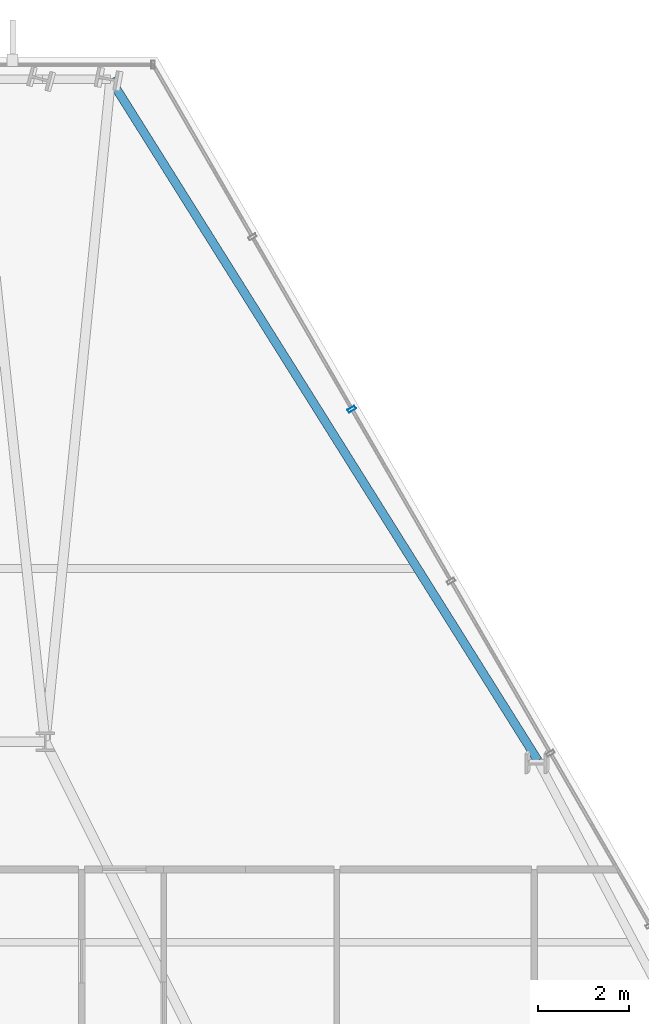
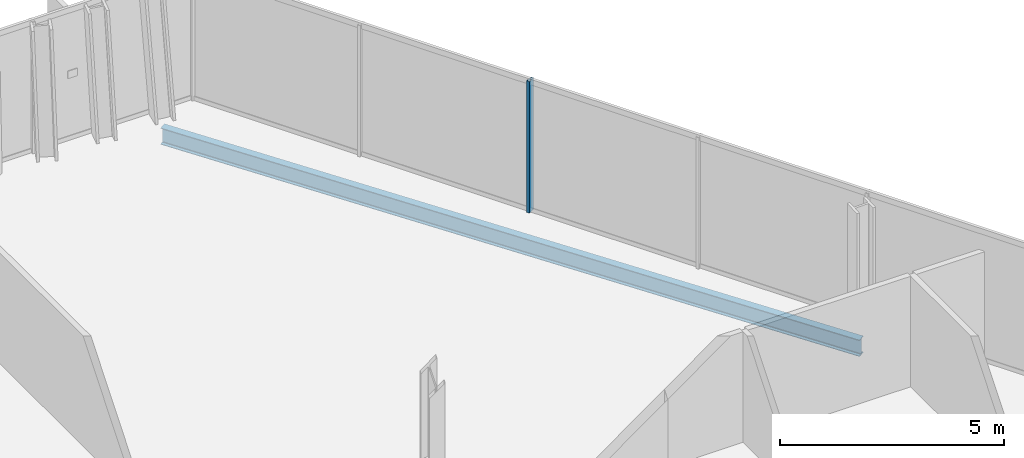
# One storey, part 23 of 32: 1 beam, 1 member, 1 element without a shape of its own.
"""IFC4 building model written with IfcOpenShell, lengths in metres."""

from ifc_helpers import new_model, si_unit, direction, frame, origin, origin_2d, place, context, subcontext, project, spatial, hollow_rectangle, i_section, extrude, material, layer, layer_set, material_profile, profile_set, type_object, element, aggregate, save


model = new_model("IFC4")

# Units and contexts
model_context = context("Model", 3, precision=1e-05, world=origin(), true_north=direction((0.0, 1.0)))
body_context = subcontext(model_context, "Body", "Model", "MODEL_VIEW")
ifc_project = project(units=[si_unit("LENGTHUNIT", "METRE"), si_unit("AREAUNIT", "SQUARE_METRE"), si_unit("VOLUMEUNIT", "CUBIC_METRE"), si_unit("PLANEANGLEUNIT", "RADIAN"), si_unit("MASSUNIT", "GRAM", prefix="KILO")], contexts=[model_context])

# Site, building, storey
site_placement = place(None, origin())
site = spatial("IfcSite", under=ifc_project, at=site_placement, CompositionType="ELEMENT")
building_placement = place(site_placement, origin())
building = spatial("IfcBuilding", under=site, at=building_placement, Name="Ndaravel Arena Tower", CompositionType="ELEMENT")
storey_placement = place(building_placement, frame((0.0, 0.0, 134.60009765625)))
storey = spatial("IfcBuildingStorey", under=building, at=storey_placement, Name="L31", CompositionType="ELEMENT", Elevation=134.60009765625)

# Beam
ifc_material_1 = material(Name="Steel S355", Category="steel")
ifc_material_profile_1 = material_profile(ifc_material_1, i_section(OverallWidth=0.18994140625, OverallDepth=0.449951171875, WebThickness=0.009521484375, FlangeThickness=0.0146484375, FilletRadius=0.02099609375, at=origin_2d()), Name="IPE 450")
ifc_profile_set_1 = profile_set([ifc_material_profile_1], Name="Steel S355")
beam_type = type_object("IfcBeamType", Name="BM-SPAN-IPE450", PredefinedType="SPANDREL", material=ifc_profile_set_1)
beam_placement = place(storey_placement, frame((56.61181640625, 30.78857421875, -0.445068359375), z_axis=(-0.531434619656, 0.847099312378, 0.0), x_axis=(-0.847099312378, -0.531434619656, 0.0)))
element("IfcBeam", 1, at=beam_placement, inside=storey, type_object=beam_type, Name="L31 Perimeter Spandrel Beam SP-10", PredefinedType="SPANDREL", context=body_context, shape_type="SweptSolid", body=[
    extrude(i_section(OverallWidth=0.18994140625, OverallDepth=0.449951171875, WebThickness=0.009521484375, FlangeThickness=0.0146484375, FilletRadius=0.02099609375, at=origin_2d()), origin(), (0.0, 0.0, 1.0), 17.6455078125),
])

# Curtain wall, member
ifc_material_2 = material(Name="Aluminium", Category="aluminium")
ifc_layer = layer(ifc_material_2, 0.179931640625)
ifc_layer_set = layer_set([ifc_layer], Name="Aluminium")
curtain_wall_type = type_object("IfcCurtainWallType", Name="CW-SYS-03", PredefinedType="NOTDEFINED", material=ifc_layer_set)
curtain_wall_placement = place(storey_placement, origin())
curtain_wall = element("IfcCurtainWall", 2, at=curtain_wall_placement, inside=storey, type_object=curtain_wall_type, Name="L31 Faceted Crystal Curtain Wall CW-L31-E03", PredefinedType="NOTDEFINED")
ifc_material_3 = material(Name="Aluminium", Category="aluminium")
ifc_material_profile_2 = material_profile(ifc_material_3, hollow_rectangle(XDim=0.074951171875, YDim=0.179931640625, WallThickness=0.00390625, at=origin_2d()), Name="CW MULLION 75x180x4")
ifc_profile_set_2 = profile_set([ifc_material_profile_2], Name="Aluminium")
member_type = type_object("IfcMemberType", Name="MEM-CW-MUL180", PredefinedType="MULLION", material=ifc_profile_set_2)
member_placement = place(storey_placement, frame((52.52783203125, 38.502197265625, 0.0), z_axis=(0.0, 0.0, 1.0), x_axis=(-0.5, 0.866025403784, 0.0)))
member = element("IfcMember", 3, at=member_placement, type_object=member_type, Name="CW-L31-E03 Mullion 06", PredefinedType="MULLION", context=body_context, shape_type="SweptSolid", body=[
    extrude(hollow_rectangle(XDim=0.074951171875, YDim=0.179931640625, WallThickness=0.00390625, at=origin_2d()), origin(), (0.0, 0.0, 1.0), 3.579833984375),
])
aggregate(curtain_wall, [member])

save(model, "model.ifc")
